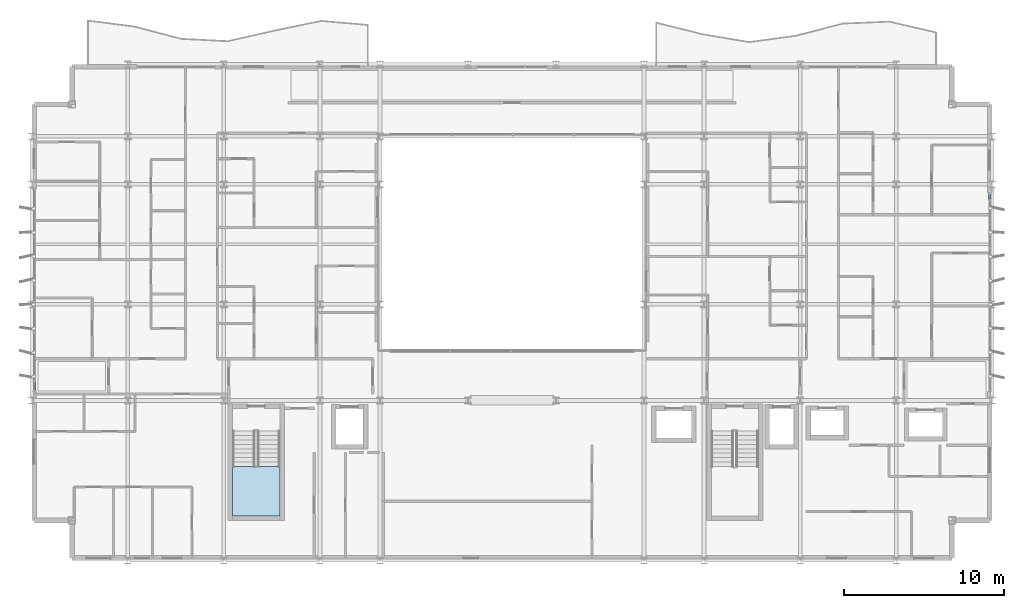
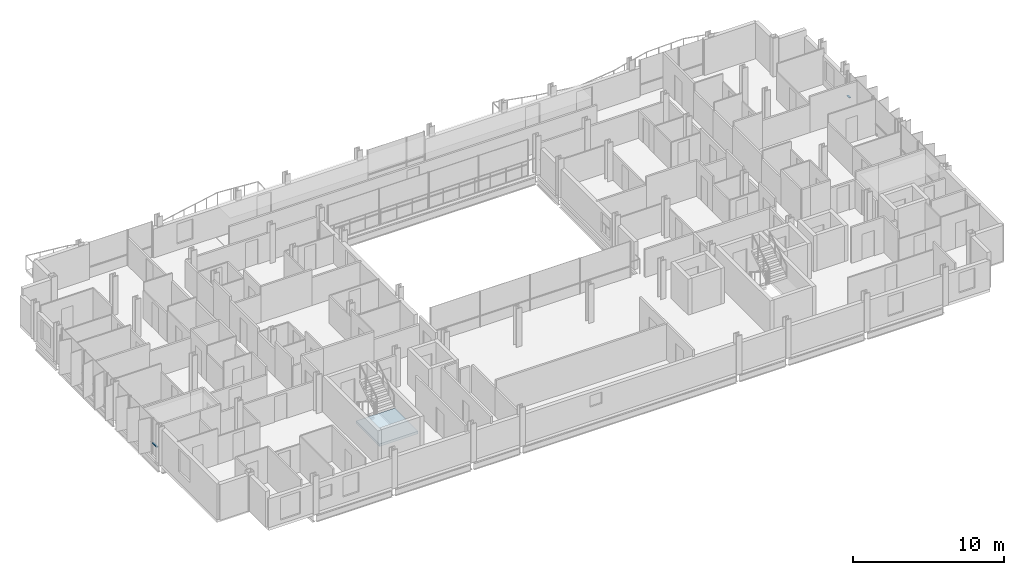
# One storey, part 21 of 38: 2 members, 1 slab, 3 elements without a shape of their own.
"""IFC4 building model written with IfcOpenShell, lengths in metres."""

from ifc_helpers import new_model, si_unit, direction, frame, origin, origin_2d, place, context, subcontext, project, spatial, polyline, hollow_rectangle, outline, extrude, material, layer, layer_set, material_profile, profile_set, type_object, element, aggregate, save


model = new_model("IFC4")

# Units and contexts
model_context = context("Model", 3, precision=1e-05, world=origin(), true_north=direction((0.0, 1.0)))
body_context = subcontext(model_context, "Body", "Model", "MODEL_VIEW")
ifc_project = project(units=[si_unit("LENGTHUNIT", "METRE"), si_unit("AREAUNIT", "SQUARE_METRE"), si_unit("VOLUMEUNIT", "CUBIC_METRE"), si_unit("PLANEANGLEUNIT", "RADIAN"), si_unit("MASSUNIT", "GRAM", prefix="KILO")], contexts=[model_context])

# Site, building, storey
site_placement = place(None, origin())
site = spatial("IfcSite", under=ifc_project, at=site_placement, CompositionType="ELEMENT")
building_placement = place(site_placement, origin())
building = spatial("IfcBuilding", under=site, at=building_placement, Name="Brevholm Reach", CompositionType="ELEMENT")
storey_placement = place(building_placement, frame((0.0, 0.0, 128.300048828125)))
storey = spatial("IfcBuildingStorey", under=building, at=storey_placement, Name="L38", CompositionType="ELEMENT", Elevation=128.300048828125)

# Curtain wall, member
ifc_material_1 = material(Name="Dark Anodised Aluminium 6063-T6 and Solar-Control Glass", Category="aluminium")
ifc_layer_1 = layer(ifc_material_1, 0.14990234375)
ifc_layer_set_1 = layer_set([ifc_layer_1], Name="Dark Anodised Aluminium 6063-T6 and Solar-Control Glass")
curtain_wall_type = type_object("IfcCurtainWallType", Name="CW-01", PredefinedType="NOTDEFINED", material=ifc_layer_set_1)
curtain_wall_1_placement = place(storey_placement, origin())
curtain_wall_1 = element("IfcCurtainWall", 1, at=curtain_wall_1_placement, inside=storey, type_object=curtain_wall_type, Name="L38 Curtain Wall CW-01", PredefinedType="NOTDEFINED")
ifc_material_2 = material(Name="Dark Anodised Aluminium 6063-T6", Category="aluminium")
ifc_material_profile = material_profile(ifc_material_2, hollow_rectangle(XDim=0.06494140625, YDim=0.14990234375, WallThickness=0.0048828125, InnerFilletRadius=0.0048828125, OuterFilletRadius=0.010009765625, at=origin_2d()), Name="RHS 150x65x5")
ifc_profile_set = profile_set([ifc_material_profile], Name="Dark Anodised Aluminium 6063-T6")
member_type = type_object("IfcMemberType", Name="CWT-150", PredefinedType="NOTDEFINED", material=ifc_profile_set)
member_1_placement = place(storey_placement, frame((0.14990234375, 11.1875, 0.89990234375), z_axis=(0.0, -1.0, 0.0), x_axis=(0.0, 0.0, 1.0)))
member_1 = element("IfcMember", 2, at=member_1_placement, type_object=member_type, Name="CT-150 Transom 5.1", ObjectType="TRANSOM", PredefinedType="USERDEFINED", context=body_context, shape_type="SweptSolid", body=[
    extrude(hollow_rectangle(XDim=0.06494140625, YDim=0.14990234375, WallThickness=0.0048828125, InnerFilletRadius=0.0048828125, OuterFilletRadius=0.010009765625, at=origin_2d()), origin(), (0.0, 0.0, 1.0), 0.572509765625),
])
aggregate(curtain_wall_1, [member_1])

curtain_wall_2_placement = place(storey_placement, origin())
curtain_wall_2 = element("IfcCurtainWall", 3, at=curtain_wall_2_placement, inside=storey, type_object=curtain_wall_type, Name="L38 Curtain Wall CW-01", PredefinedType="NOTDEFINED")
member_2_placement = place(storey_placement, frame((59.85009765625, 22.58251953125, 0.89990234375), z_axis=(0.0, 1.0, 0.0), x_axis=(0.0, 0.0, 1.0)))
member_2 = element("IfcMember", 4, at=member_2_placement, type_object=member_type, Name="CT-150 Transom 5.1", ObjectType="TRANSOM", PredefinedType="USERDEFINED", context=body_context, shape_type="SweptSolid", body=[
    extrude(hollow_rectangle(XDim=0.06494140625, YDim=0.14990234375, WallThickness=0.0048828125, InnerFilletRadius=0.0048828125, OuterFilletRadius=0.010009765625, at=origin_2d()), origin(), (0.0, 0.0, 1.0), 0.302490234375),
])
aggregate(curtain_wall_2, [member_2])

# Stair, slab
ifc_material_3 = material(Name="Precast Concrete C40/50", Category="concrete")
stair_type = type_object("IfcStairType", Name="STR-ESC-1400", PredefinedType="DOUBLE_RETURN_STAIR", material=ifc_material_3)
stair_placement = place(storey_placement, origin())
stair = element("IfcStair", 5, at=stair_placement, inside=storey, type_object=stair_type, Name="L38 ST-1", PredefinedType="DOUBLE_RETURN_STAIR")
ifc_material_4 = material(Name="Concrete C40/50", Category="concrete")
ifc_layer_2 = layer(ifc_material_4, 0.199951171875)
ifc_layer_set_2 = layer_set([ifc_layer_2], Name="Concrete C40/50")
slab_type = type_object("IfcSlabType", Name="SLB-LND-200", PredefinedType="LANDING", material=ifc_layer_set_2)
slab_placement = place(storey_placement, frame((0.0, 0.0, 1.349853515625)))
slab = element("IfcSlab", 6, at=slab_placement, type_object=slab_type, Name="ST-1 landing 1", PredefinedType="LANDING", context=body_context, shape_type="SweptSolid", body=[
    extrude(outline(polyline([(12.550048828125, 5.860107421875), (12.550048828125, 2.780029296875), (15.5, 2.780029296875), (15.5, 5.860107421875), (12.550048828125, 5.860107421875)])), origin(), (0.0, 0.0, 1.0), 0.2001953125),
])
aggregate(stair, [slab])

save(model, "model.ifc")
